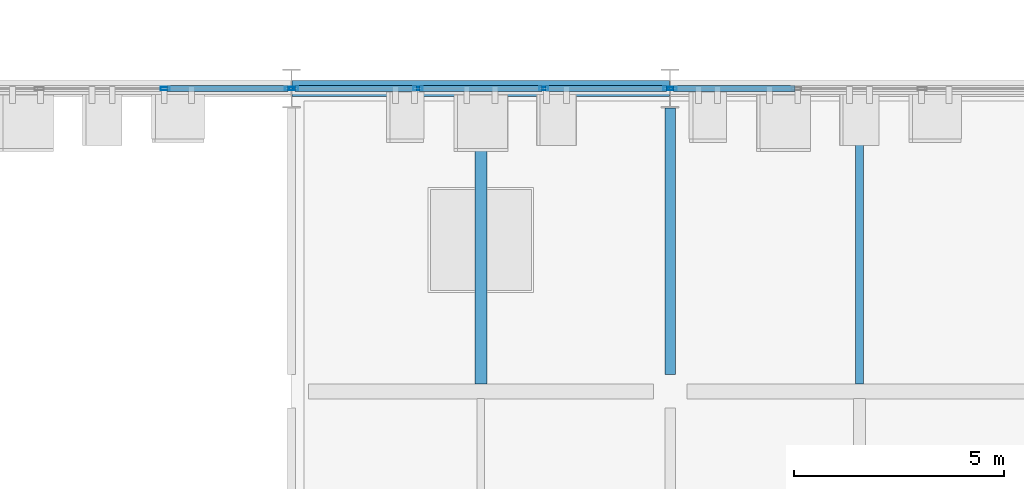
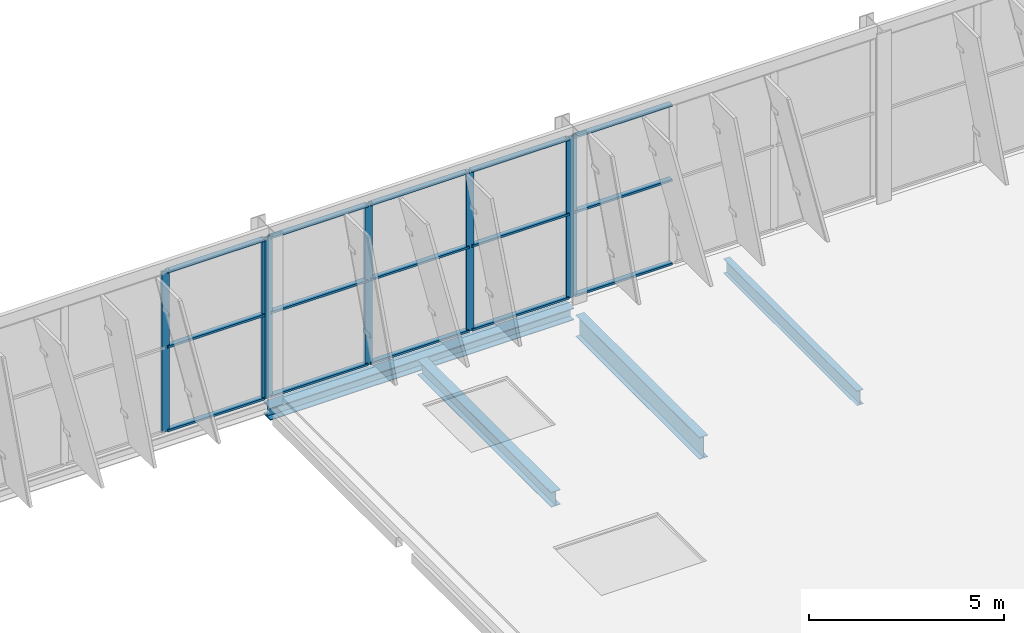
# One storey, part 20 of 189: 22 members, 4 beams, 3 elements without a shape of their own.
"""IFC4 building model written with IfcOpenShell, lengths in metres."""

from ifc_helpers import new_model, si_unit, direction, frame, origin, origin_2d, place, context, subcontext, project, spatial, hollow_rectangle, i_section, extrude, material, layer, layer_set, material_profile, profile_set, type_object, element, aggregate, save


model = new_model("IFC4")

# Units and contexts
model_context = context("Model", 3, precision=1e-05, world=origin(), true_north=direction((0.0, 1.0)))
body_context = subcontext(model_context, "Body", "Model", "MODEL_VIEW")
ifc_project = project(units=[si_unit("LENGTHUNIT", "METRE"), si_unit("AREAUNIT", "SQUARE_METRE"), si_unit("VOLUMEUNIT", "CUBIC_METRE"), si_unit("PLANEANGLEUNIT", "RADIAN"), si_unit("MASSUNIT", "GRAM", prefix="KILO")], contexts=[model_context])

# Site, building, storey
site_placement = place(None, origin())
site = spatial("IfcSite", under=ifc_project, at=site_placement, CompositionType="ELEMENT")
building_placement = place(site_placement, origin())
building = spatial("IfcBuilding", under=site, at=building_placement, Name="Celestram Park Convention Centre", CompositionType="ELEMENT")
storey_placement = place(building_placement, frame((0.0, 0.0, 5.39990234375)))
storey = spatial("IfcBuildingStorey", under=building, at=storey_placement, Name="L01", CompositionType="ELEMENT", Elevation=5.39990234375)

# Curtain wall, members
ifc_material_1 = material(Name="Anodised Aluminium Alloy 6063-T6", Category="aluminium")
ifc_layer = layer(ifc_material_1, 0.179931640625)
ifc_layer_set = layer_set([ifc_layer], Name="Anodised Aluminium Alloy 6063-T6")
curtain_wall_type = type_object("IfcCurtainWallType", Name="ARC-CW-898X503", PredefinedType="NOTDEFINED", material=ifc_layer_set)
curtain_wall_1_placement = place(storey_placement, origin())
curtain_wall_1 = element("IfcCurtainWall", 1, at=curtain_wall_1_placement, inside=storey, type_object=curtain_wall_type, Name="Unitised curtain wall CU-L01-123", PredefinedType="NOTDEFINED")
ifc_material_profile_1 = material_profile(ifc_material_1, hollow_rectangle(XDim=0.074951171875, YDim=0.219970703125, WallThickness=0.00390625, at=origin_2d()), Name="ALU75X220X4")
ifc_profile_set_1 = profile_set([ifc_material_profile_1], Name="Anodised Aluminium Alloy 6063-T6")
member_type_1 = type_object("IfcMemberType", Name="ARC-CWM-180", PredefinedType="MULLION", material=ifc_profile_set_1)
member_1_placement = place(storey_placement, frame((35.952392578125, 21.60009765625, 0.0), z_axis=(0.0, 0.0, 1.0), x_axis=(0.0, -1.0, 0.0)))
member_1 = element("IfcMember", 2, at=member_1_placement, type_object=member_type_1, Name="CW-89X50 mullion 1", PredefinedType="MULLION", context=body_context, shape_type="SweptSolid", body=[
    extrude(hollow_rectangle(XDim=0.074951171875, YDim=0.219970703125, WallThickness=0.00390625, at=origin_2d()), origin(), (0.0, 0.0, 1.0), 5.027099609375),
])
member_2_placement = place(storey_placement, frame((32.99658203125, 21.60009765625, 0.0), z_axis=(0.0, 0.0, 1.0), x_axis=(0.0, -1.0, 0.0)))
member_2 = element("IfcMember", 3, at=member_2_placement, type_object=member_type_1, Name="CW-89X50 mullion 2", PredefinedType="MULLION", context=body_context, shape_type="SweptSolid", body=[
    extrude(hollow_rectangle(XDim=0.074951171875, YDim=0.219970703125, WallThickness=0.00390625, at=origin_2d()), origin(), (0.0, 0.0, 1.0), 5.027099609375),
])

# Curtain wall, member
curtain_wall_2_placement = place(storey_placement, origin())
curtain_wall_2 = element("IfcCurtainWall", 4, at=curtain_wall_2_placement, inside=storey, type_object=curtain_wall_type, Name="Unitised curtain wall CU-L01-135", PredefinedType="NOTDEFINED")
member_3_placement = place(storey_placement, frame((45.047607421875, 21.60009765625, 0.0), z_axis=(0.0, 0.0, 1.0), x_axis=(0.0, -1.0, 0.0)))
member_3 = element("IfcMember", 5, at=member_3_placement, type_object=member_type_1, Name="CW-89X50 mullion 4", PredefinedType="MULLION", context=body_context, shape_type="SweptSolid", body=[
    extrude(hollow_rectangle(XDim=0.074951171875, YDim=0.219970703125, WallThickness=0.00390625, at=origin_2d()), origin(), (0.0, 0.0, 1.0), 5.027099609375),
])

# Curtain wall, members
curtain_wall_3_placement = place(storey_placement, origin())
curtain_wall_3 = element("IfcCurtainWall", 6, at=curtain_wall_3_placement, inside=storey, type_object=curtain_wall_type, Name="Unitised curtain wall CU-L01-136", PredefinedType="NOTDEFINED")
member_4_placement = place(storey_placement, frame((44.952392578125, 21.60009765625, 0.0), z_axis=(0.0, 0.0, 1.0), x_axis=(0.0, -1.0, 0.0)))
member_4 = element("IfcMember", 7, at=member_4_placement, type_object=member_type_1, Name="CW-89X50 mullion 1", PredefinedType="MULLION", context=body_context, shape_type="SweptSolid", body=[
    extrude(hollow_rectangle(XDim=0.074951171875, YDim=0.219970703125, WallThickness=0.00390625, at=origin_2d()), origin(), (0.0, 0.0, 1.0), 5.027099609375),
])
member_5_placement = place(storey_placement, frame((41.99658203125, 21.60009765625, 0.0), z_axis=(0.0, 0.0, 1.0), x_axis=(0.0, -1.0, 0.0)))
member_5 = element("IfcMember", 8, at=member_5_placement, type_object=member_type_1, Name="CW-89X50 mullion 2", PredefinedType="MULLION", context=body_context, shape_type="SweptSolid", body=[
    extrude(hollow_rectangle(XDim=0.074951171875, YDim=0.219970703125, WallThickness=0.00390625, at=origin_2d()), origin(), (0.0, 0.0, 1.0), 5.027099609375),
])
member_6_placement = place(storey_placement, frame((39.00341796875, 21.60009765625, 0.0), z_axis=(0.0, 0.0, 1.0), x_axis=(0.0, -1.0, 0.0)))
member_6 = element("IfcMember", 9, at=member_6_placement, type_object=member_type_1, Name="CW-89X50 mullion 3", PredefinedType="MULLION", context=body_context, shape_type="SweptSolid", body=[
    extrude(hollow_rectangle(XDim=0.074951171875, YDim=0.219970703125, WallThickness=0.00390625, at=origin_2d()), origin(), (0.0, 0.0, 1.0), 5.027099609375),
])
member_7_placement = place(storey_placement, frame((36.047607421875, 21.60009765625, 0.0), z_axis=(0.0, 0.0, 1.0), x_axis=(0.0, -1.0, 0.0)))
member_7 = element("IfcMember", 10, at=member_7_placement, type_object=member_type_1, Name="CW-89X50 mullion 4", PredefinedType="MULLION", context=body_context, shape_type="SweptSolid", body=[
    extrude(hollow_rectangle(XDim=0.074951171875, YDim=0.219970703125, WallThickness=0.00390625, at=origin_2d()), origin(), (0.0, 0.0, 1.0), 5.027099609375),
])

# Member
ifc_material_profile_2 = material_profile(ifc_material_1, hollow_rectangle(XDim=0.14990234375, YDim=0.06494140625, WallThickness=0.0029296875, at=origin_2d()), Name="ALU150X65X3")
ifc_profile_set_2 = profile_set([ifc_material_profile_2], Name="Anodised Aluminium Alloy 6063-T6")
member_type_2 = type_object("IfcMemberType", Name="ARC-CWT-150", PredefinedType="USERDEFINED", material=ifc_profile_set_2)
member_8_placement = place(storey_placement, frame((35.9150390625, 21.60009765625, 0.03271484375), z_axis=(-1.0, 0.0, 0.0), x_axis=(0.0, -1.0, 0.0)))
member_8 = element("IfcMember", 11, at=member_8_placement, type_object=member_type_2, Name="CW-89X50 transom 1.1", ObjectType="TRANSOM", PredefinedType="USERDEFINED", context=body_context, shape_type="SweptSolid", body=[
    extrude(hollow_rectangle(XDim=0.14990234375, YDim=0.06494140625, WallThickness=0.0029296875, at=origin_2d()), origin(), (0.0, 0.0, 1.0), 2.880859375),
])

member_9_placement = place(storey_placement, frame((35.9150390625, 21.60009765625, 2.650146484375), z_axis=(-1.0, 0.0, 0.0), x_axis=(0.0, -1.0, 0.0)))
member_9 = element("IfcMember", 12, at=member_9_placement, type_object=member_type_2, Name="CW-89X50 transom 1.2", ObjectType="TRANSOM", PredefinedType="USERDEFINED", context=body_context, shape_type="SweptSolid", body=[
    extrude(hollow_rectangle(XDim=0.14990234375, YDim=0.06494140625, WallThickness=0.0029296875, at=origin_2d()), origin(), (0.0, 0.0, 1.0), 2.880859375),
])

member_10_placement = place(storey_placement, frame((35.9150390625, 21.60009765625, 4.99462890625), z_axis=(-1.0, 0.0, 0.0), x_axis=(0.0, -1.0, 0.0)))
member_10 = element("IfcMember", 13, at=member_10_placement, type_object=member_type_2, Name="CW-89X50 transom 1.3", ObjectType="TRANSOM", PredefinedType="USERDEFINED", context=body_context, shape_type="SweptSolid", body=[
    extrude(hollow_rectangle(XDim=0.14990234375, YDim=0.06494140625, WallThickness=0.0029296875, at=origin_2d()), origin(), (0.0, 0.0, 1.0), 2.880859375),
])

aggregate(curtain_wall_1, [member_1, member_2, member_8, member_9, member_10])

member_11_placement = place(storey_placement, frame((47.9658203125, 21.60009765625, 0.03271484375), z_axis=(-1.0, 0.0, 0.0), x_axis=(0.0, -1.0, 0.0)))
member_11 = element("IfcMember", 14, at=member_11_placement, type_object=member_type_2, Name="CW-89X50 transom 3.1", ObjectType="TRANSOM", PredefinedType="USERDEFINED", context=body_context, shape_type="SweptSolid", body=[
    extrude(hollow_rectangle(XDim=0.14990234375, YDim=0.06494140625, WallThickness=0.0029296875, at=origin_2d()), origin(), (0.0, 0.0, 1.0), 2.880859375),
])

member_12_placement = place(storey_placement, frame((47.9658203125, 21.60009765625, 2.650146484375), z_axis=(-1.0, 0.0, 0.0), x_axis=(0.0, -1.0, 0.0)))
member_12 = element("IfcMember", 15, at=member_12_placement, type_object=member_type_2, Name="CW-89X50 transom 3.2", ObjectType="TRANSOM", PredefinedType="USERDEFINED", context=body_context, shape_type="SweptSolid", body=[
    extrude(hollow_rectangle(XDim=0.14990234375, YDim=0.06494140625, WallThickness=0.0029296875, at=origin_2d()), origin(), (0.0, 0.0, 1.0), 2.880859375),
])

member_13_placement = place(storey_placement, frame((47.9658203125, 21.60009765625, 4.99462890625), z_axis=(-1.0, 0.0, 0.0), x_axis=(0.0, -1.0, 0.0)))
member_13 = element("IfcMember", 16, at=member_13_placement, type_object=member_type_2, Name="CW-89X50 transom 3.3", ObjectType="TRANSOM", PredefinedType="USERDEFINED", context=body_context, shape_type="SweptSolid", body=[
    extrude(hollow_rectangle(XDim=0.14990234375, YDim=0.06494140625, WallThickness=0.0029296875, at=origin_2d()), origin(), (0.0, 0.0, 1.0), 2.880859375),
])

aggregate(curtain_wall_2, [member_3, member_11, member_12, member_13])

member_14_placement = place(storey_placement, frame((44.9150390625, 21.60009765625, 0.03271484375), z_axis=(-1.0, 0.0, 0.0), x_axis=(0.0, -1.0, 0.0)))
member_14 = element("IfcMember", 17, at=member_14_placement, type_object=member_type_2, Name="CW-89X50 transom 1.1", ObjectType="TRANSOM", PredefinedType="USERDEFINED", context=body_context, shape_type="SweptSolid", body=[
    extrude(hollow_rectangle(XDim=0.14990234375, YDim=0.06494140625, WallThickness=0.0029296875, at=origin_2d()), origin(), (0.0, 0.0, 1.0), 2.880859375),
])

member_15_placement = place(storey_placement, frame((44.9150390625, 21.60009765625, 2.650146484375), z_axis=(-1.0, 0.0, 0.0), x_axis=(0.0, -1.0, 0.0)))
member_15 = element("IfcMember", 18, at=member_15_placement, type_object=member_type_2, Name="CW-89X50 transom 1.2", ObjectType="TRANSOM", PredefinedType="USERDEFINED", context=body_context, shape_type="SweptSolid", body=[
    extrude(hollow_rectangle(XDim=0.14990234375, YDim=0.06494140625, WallThickness=0.0029296875, at=origin_2d()), origin(), (0.0, 0.0, 1.0), 2.880859375),
])

member_16_placement = place(storey_placement, frame((44.9150390625, 21.60009765625, 4.99462890625), z_axis=(-1.0, 0.0, 0.0), x_axis=(0.0, -1.0, 0.0)))
member_16 = element("IfcMember", 19, at=member_16_placement, type_object=member_type_2, Name="CW-89X50 transom 1.3", ObjectType="TRANSOM", PredefinedType="USERDEFINED", context=body_context, shape_type="SweptSolid", body=[
    extrude(hollow_rectangle(XDim=0.14990234375, YDim=0.06494140625, WallThickness=0.0029296875, at=origin_2d()), origin(), (0.0, 0.0, 1.0), 2.880859375),
])

member_17_placement = place(storey_placement, frame((41.959228515625, 21.60009765625, 0.03271484375), z_axis=(-1.0, 0.0, 0.0), x_axis=(0.0, -1.0, 0.0)))
member_17 = element("IfcMember", 20, at=member_17_placement, type_object=member_type_2, Name="CW-89X50 transom 2.1", ObjectType="TRANSOM", PredefinedType="USERDEFINED", context=body_context, shape_type="SweptSolid", body=[
    extrude(hollow_rectangle(XDim=0.14990234375, YDim=0.06494140625, WallThickness=0.0029296875, at=origin_2d()), origin(), (0.0, 0.0, 1.0), 2.91845703125),
])

member_18_placement = place(storey_placement, frame((41.959228515625, 21.60009765625, 2.650146484375), z_axis=(-1.0, 0.0, 0.0), x_axis=(0.0, -1.0, 0.0)))
member_18 = element("IfcMember", 21, at=member_18_placement, type_object=member_type_2, Name="CW-89X50 transom 2.2", ObjectType="TRANSOM", PredefinedType="USERDEFINED", context=body_context, shape_type="SweptSolid", body=[
    extrude(hollow_rectangle(XDim=0.14990234375, YDim=0.06494140625, WallThickness=0.0029296875, at=origin_2d()), origin(), (0.0, 0.0, 1.0), 2.91845703125),
])

member_19_placement = place(storey_placement, frame((41.959228515625, 21.60009765625, 4.99462890625), z_axis=(-1.0, 0.0, 0.0), x_axis=(0.0, -1.0, 0.0)))
member_19 = element("IfcMember", 22, at=member_19_placement, type_object=member_type_2, Name="CW-89X50 transom 2.3", ObjectType="TRANSOM", PredefinedType="USERDEFINED", context=body_context, shape_type="SweptSolid", body=[
    extrude(hollow_rectangle(XDim=0.14990234375, YDim=0.06494140625, WallThickness=0.0029296875, at=origin_2d()), origin(), (0.0, 0.0, 1.0), 2.91845703125),
])

member_20_placement = place(storey_placement, frame((38.9658203125, 21.60009765625, 0.03271484375), z_axis=(-1.0, 0.0, 0.0), x_axis=(0.0, -1.0, 0.0)))
member_20 = element("IfcMember", 23, at=member_20_placement, type_object=member_type_2, Name="CW-89X50 transom 3.1", ObjectType="TRANSOM", PredefinedType="USERDEFINED", context=body_context, shape_type="SweptSolid", body=[
    extrude(hollow_rectangle(XDim=0.14990234375, YDim=0.06494140625, WallThickness=0.0029296875, at=origin_2d()), origin(), (0.0, 0.0, 1.0), 2.880859375),
])

member_21_placement = place(storey_placement, frame((38.9658203125, 21.60009765625, 2.650146484375), z_axis=(-1.0, 0.0, 0.0), x_axis=(0.0, -1.0, 0.0)))
member_21 = element("IfcMember", 24, at=member_21_placement, type_object=member_type_2, Name="CW-89X50 transom 3.2", ObjectType="TRANSOM", PredefinedType="USERDEFINED", context=body_context, shape_type="SweptSolid", body=[
    extrude(hollow_rectangle(XDim=0.14990234375, YDim=0.06494140625, WallThickness=0.0029296875, at=origin_2d()), origin(), (0.0, 0.0, 1.0), 2.880859375),
])

member_22_placement = place(storey_placement, frame((38.9658203125, 21.60009765625, 4.99462890625), z_axis=(-1.0, 0.0, 0.0), x_axis=(0.0, -1.0, 0.0)))
member_22 = element("IfcMember", 25, at=member_22_placement, type_object=member_type_2, Name="CW-89X50 transom 3.3", ObjectType="TRANSOM", PredefinedType="USERDEFINED", context=body_context, shape_type="SweptSolid", body=[
    extrude(hollow_rectangle(XDim=0.14990234375, YDim=0.06494140625, WallThickness=0.0029296875, at=origin_2d()), origin(), (0.0, 0.0, 1.0), 2.880859375),
])

aggregate(curtain_wall_3, [member_4, member_5, member_6, member_7, member_14, member_15, member_16, member_17, member_18, member_19, member_20, member_21, member_22])

# Beams
ifc_material_2 = material(Name="Steel ASTM A992 Grade 50", Category="steel")
ifc_material_profile_3 = material_profile(ifc_material_2, i_section(OverallWidth=0.25390625, OverallDepth=0.68310546875, WebThickness=0.012451171875, FlangeThickness=0.01904296875, at=origin_2d()), Name="W27X94")
ifc_profile_set_3 = profile_set([ifc_material_profile_3], Name="Steel ASTM A992 Grade 50")
beam_type_1 = type_object("IfcBeamType", Name="STR-BM-W27X94", PredefinedType="BEAM", material=ifc_profile_set_3)
beam_1_placement = place(storey_placement, frame((45.0, 14.798095703125, -0.581298828125), z_axis=(0.0, 1.0, 0.0), x_axis=(-1.0, 0.0, 0.0)))
element("IfcBeam", 26, at=beam_1_placement, inside=storey, type_object=beam_type_1, Name="Primary Y-girder BG-L01-0062", PredefinedType="BEAM", context=body_context, shape_type="SweptSolid", body=[
    extrude(i_section(OverallWidth=0.25390625, OverallDepth=0.68310546875, WebThickness=0.012451171875, FlangeThickness=0.01904296875, at=origin_2d()), origin(), (0.0, 0.0, 1.0), 6.337890625),
])
ifc_material_profile_4 = material_profile(ifc_material_2, i_section(OverallWidth=0.19091796875, OverallDepth=0.45703125, WebThickness=0.009033203125, FlangeThickness=0.014404296875, at=origin_2d()), Name="W18X50")
ifc_profile_set_4 = profile_set([ifc_material_profile_4], Name="Steel ASTM A992 Grade 50")
beam_type_2 = type_object("IfcBeamType", Name="STR-JST-W18X50", PredefinedType="JOIST", material=ifc_profile_set_4)
beam_2_placement = place(storey_placement, frame((49.5, 14.573974609375, -0.468505859375), z_axis=(0.0, 1.0, 0.0), x_axis=(-1.0, 0.0, 0.0)))
element("IfcBeam", 27, at=beam_2_placement, inside=storey, type_object=beam_type_2, Name="Secondary composite joist BG-L01-0567", PredefinedType="JOIST", context=body_context, shape_type="SweptSolid", body=[
    extrude(i_section(OverallWidth=0.19091796875, OverallDepth=0.45703125, WebThickness=0.009033203125, FlangeThickness=0.014404296875, at=origin_2d()), origin(), (0.0, 0.0, 1.0), 6.843994140625),
])
ifc_material_profile_5 = material_profile(ifc_material_2, i_section(OverallWidth=0.281982421875, OverallDepth=0.467041015625, WebThickness=0.01220703125, FlangeThickness=0.01953125, at=origin_2d()), Name="W18X86")
ifc_profile_set_5 = profile_set([ifc_material_profile_5], Name="Steel ASTM A992 Grade 50")
beam_type_3 = type_object("IfcBeamType", Name="STR-JST-W18X86", PredefinedType="JOIST", material=ifc_profile_set_5)
beam_3_placement = place(storey_placement, frame((40.5, 14.573974609375, -0.473388671875), z_axis=(0.0, 1.0, 0.0), x_axis=(-1.0, 0.0, 0.0)))
element("IfcBeam", 28, at=beam_3_placement, inside=storey, type_object=beam_type_3, Name="Secondary composite joist BG-L01-0561", PredefinedType="JOIST", context=body_context, shape_type="SweptSolid", body=[
    extrude(i_section(OverallWidth=0.281982421875, OverallDepth=0.467041015625, WebThickness=0.01220703125, FlangeThickness=0.01953125, at=origin_2d()), origin(), (0.0, 0.0, 1.0), 6.843994140625),
])
ifc_material_profile_6 = material_profile(ifc_material_2, i_section(OverallWidth=0.373046875, OverallDepth=0.373046875, WebThickness=0.016357421875, FlangeThickness=0.026123046875, at=origin_2d()), Name="W14X132")
ifc_profile_set_6 = profile_set([ifc_material_profile_6], Name="Steel ASTM A992 Grade 50")
beam_type_4 = type_object("IfcBeamType", Name="STR-SPN-W14X132", PredefinedType="SPANDREL", material=ifc_profile_set_6)
beam_4_placement = place(storey_placement, frame((36.010009765625, 21.60009765625, -0.426513671875), z_axis=(1.0, 0.0, 0.0), x_axis=(0.0, 1.0, 0.0)))
element("IfcBeam", 29, at=beam_4_placement, inside=storey, type_object=beam_type_4, Name="Primary X-girder BG-L01-0042", PredefinedType="SPANDREL", context=body_context, shape_type="SweptSolid", body=[
    extrude(i_section(OverallWidth=0.373046875, OverallDepth=0.373046875, WebThickness=0.016357421875, FlangeThickness=0.026123046875, at=origin_2d()), origin(), (0.0, 0.0, 1.0), 8.97998046875),
])

save(model, "model.ifc")
